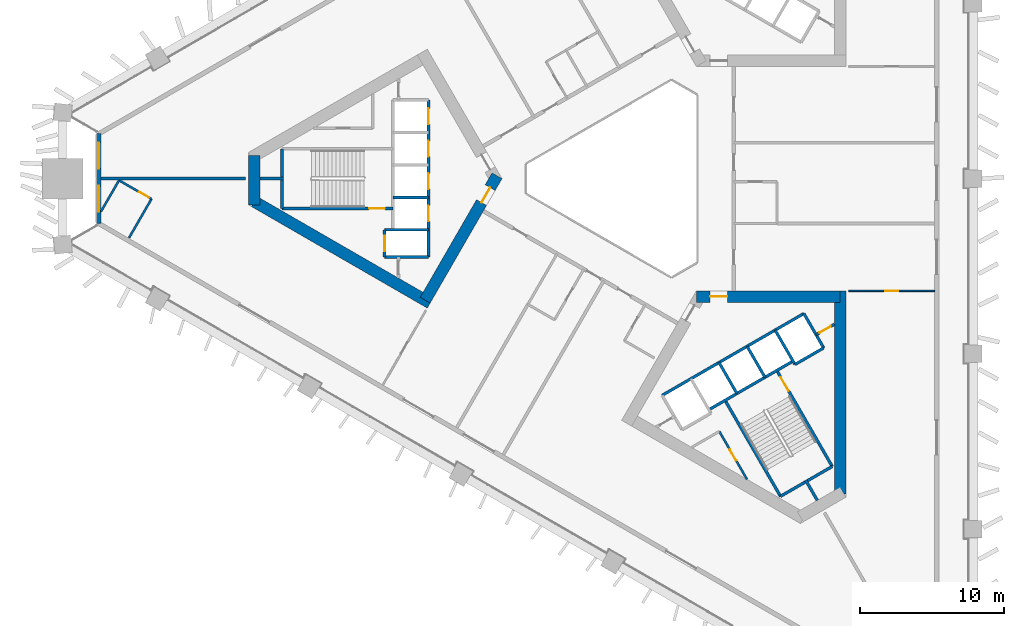
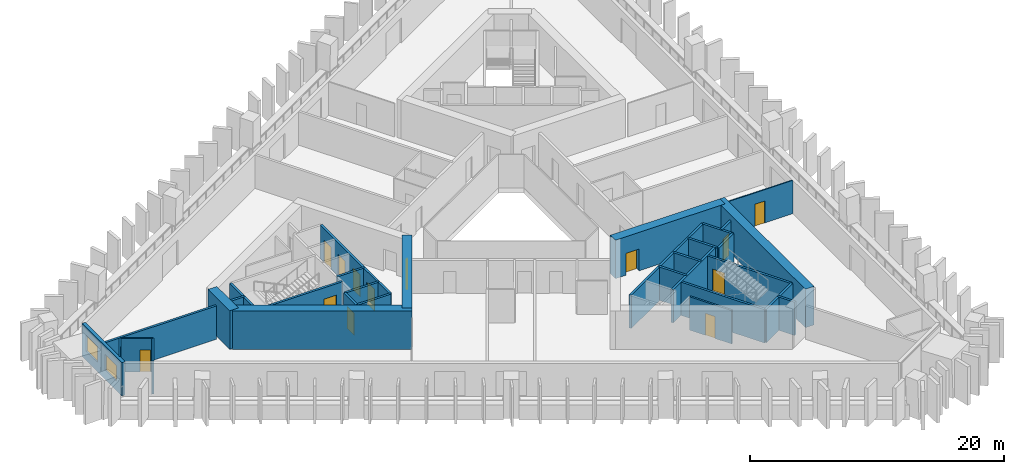
# One storey, part 3 of 10: 32 walls, 13 doors, 2 windows, 15 openings.
"""IFC4 building model written with IfcOpenShell, lengths in metres."""

from ifc_helpers import new_model, si_unit, direction, frame, frame_2d, origin, place, context, subcontext, project, spatial, rectangle, extrude, material, layer, layer_set, type_object, element, fill, save


model = new_model("IFC4")

# Units and contexts
model_context = context("Model", 3, precision=1e-05, world=origin(), true_north=direction((0.0, 1.0)))
body_context = subcontext(model_context, "Body", "Model", "MODEL_VIEW")
ifc_project = project(units=[si_unit("LENGTHUNIT", "METRE"), si_unit("AREAUNIT", "SQUARE_METRE"), si_unit("VOLUMEUNIT", "CUBIC_METRE"), si_unit("PLANEANGLEUNIT", "RADIAN"), si_unit("MASSUNIT", "GRAM", prefix="KILO")], contexts=[model_context])

# Site, building, storey
site_placement = place(None, origin())
site = spatial("IfcSite", under=ifc_project, at=site_placement, CompositionType="ELEMENT")
building_placement = place(site_placement, origin())
building = spatial("IfcBuilding", under=site, at=building_placement, Name="Jabali Bay Hotel Tower and Convention Centre", CompositionType="ELEMENT")
storey_placement = place(building_placement, frame((0.0, 0.0, 44.800048828125)))
storey = spatial("IfcBuildingStorey", under=building, at=storey_placement, Name="L09", CompositionType="ELEMENT", Elevation=44.800048828125)

# Walls
ifc_material_1 = material(Name="Concrete C40", Category="concrete")
ifc_layer_1 = layer(ifc_material_1, 0.199951171875)
ifc_layer_set_1 = layer_set([ifc_layer_1], Name="Concrete C40")
wall_type_1 = type_object("IfcWallType", Name="Core partition wall 200", PredefinedType="PARTITIONING", material=ifc_layer_set_1)
wall_1_placement = place(storey_placement, frame((50.820068359375, 80.0, 0.0), z_axis=(0.0, 0.0, 1.0), x_axis=(-1.0, 0.0, 0.0)))
element("IfcWall", 1, at=wall_1_placement, inside=storey, type_object=wall_type_1, Name="Core wall 0.5 L09", PredefinedType="PARTITIONING", context=body_context, shape_type="SweptSolid", body=[
    extrude(rectangle(XDim=1.623046875, YDim=0.199951171875, at=frame_2d((0.8115234375, 0.0))), origin(), (0.0, 0.0, 1.0), 3.199951171875),
])
wall_2_placement = place(storey_placement, frame((87.090087890625, 59.0595703125, 0.0), z_axis=(0.0, 0.0, 1.0), x_axis=(0.499956811548, -0.866050337213, 0.0)))
element("IfcWall", 2, at=wall_2_placement, inside=storey, type_object=wall_type_1, Name="Core wall 2.5 L09", PredefinedType="PARTITIONING", context=body_context, shape_type="SweptSolid", body=[
    extrude(rectangle(XDim=1.623291015625, YDim=0.199951171875, at=frame_2d((0.8115234375, 0.0))), origin(), (0.0, 0.0, 1.0), 3.199951171875),
])

# Wall, opening, door
wall_3_placement = place(storey_placement, frame((87.814697265625, 69.154296875, 0.0), z_axis=(0.0, 0.0, 1.0), x_axis=(0.866054810376, 0.49994906283, 0.0)))
wall_3 = element("IfcWall", 3, at=wall_3_placement, inside=storey, type_object=wall_type_1, Name="Core wall 2.12 L09", PredefinedType="PARTITIONING", context=body_context, shape_type="SweptSolid", body=[
    extrude(rectangle(XDim=1.461181640625, YDim=0.199951171875, at=frame_2d((0.73046875, 0.0))), origin(), (0.0, 0.0, 1.0), 3.199951171875),
])
opening_1_placement = place(wall_3_placement, frame((0.280517578125, 0.0, 0.0)))
opening_1 = element("IfcOpeningElement", 4, at=opening_1_placement, cuts=wall_3, Name="Opening D284", PredefinedType="OPENING", context=body_context, shape_type="SweptSolid", body=[
    extrude(rectangle(XDim=0.89990234375, YDim=2.10009765625, at=frame_2d((0.449951171875, 1.050048828125))), frame((0.0, 0.1103515625, 0.0), z_axis=(0.0, -1.0, 0.0), x_axis=(1.0, 0.0, 0.0)), (0.0, 0.0, 1.0), 0.220947265625),
])
ifc_material_2 = material(Name="Fire-rated steel door", Category="steel")
door_type_1 = type_object("IfcDoorType", Name="Vestibule fire door 900 x 2100", OperationType="NOTDEFINED", PredefinedType="NOTDEFINED", material=ifc_material_2)
door_1_placement = place(opening_1_placement, origin())
door_1 = element("IfcDoor", 5, at=door_1_placement, inside=storey, type_object=door_type_1, Name="Vestibule fire door D284", OperationType="SINGLE_SWING_LEFT", OverallHeight=2.10009765625, OverallWidth=0.89990234375, PredefinedType="NOTDEFINED", context=body_context, shape_type="SweptSolid", body=[
    extrude(rectangle(XDim=0.89990234375, YDim=2.10009765625, at=frame_2d((0.449951171875, 1.050048828125))), frame((0.0, 0.02490234375, 0.0), z_axis=(0.0, -1.0, 0.0), x_axis=(1.0, 0.0, 0.0)), (0.0, 0.0, 1.0), 0.050048828125),
])
fill(opening_1, door_1)

ifc_material_3 = material(Name="Fire-rated board partition")
ifc_layer_2 = layer(ifc_material_3, 0.14990234375)
ifc_layer_set_2 = layer_set([ifc_layer_2], Name="Fire-rated board partition")
wall_type_2 = type_object("IfcWallType", Name="Core room partition 150", PredefinedType="PARTITIONING", material=ifc_layer_set_2)
wall_4_placement = place(storey_placement, frame((81.093994140625, 62.445068359375, 0.0), z_axis=(0.0, 0.0, 1.0), x_axis=(0.499987921047, -0.866032377459, 0.0)))
wall_4 = element("IfcWall", 6, at=wall_4_placement, inside=storey, type_object=wall_type_2, Name="Core wall 2.1 L09", PredefinedType="PARTITIONING", context=body_context, shape_type="SweptSolid", body=[
    extrude(rectangle(XDim=3.84765625, YDim=0.14990234375, at=frame_2d((1.923828125, 0.0))), origin(), (0.0, 0.0, 1.0), 3.199951171875),
])
opening_2_placement = place(wall_4_placement, frame((1.446533203125, 0.0, 0.0)))
opening_2 = element("IfcOpeningElement", 7, at=opening_2_placement, cuts=wall_4, Name="Opening D287", PredefinedType="OPENING", context=body_context, shape_type="SweptSolid", body=[
    extrude(rectangle(XDim=0.89990234375, YDim=2.10009765625, at=frame_2d((0.449951171875, 1.050048828125))), frame((0.0, 0.08544921875, 0.0), z_axis=(0.0, -1.0, 0.0), x_axis=(1.0, 0.0, 0.0)), (0.0, 0.0, 1.0), 0.1708984375),
])
door_type_2 = type_object("IfcDoorType", Name="Core room door 900 x 2100", OperationType="NOTDEFINED", PredefinedType="NOTDEFINED", material=ifc_material_2)
door_2_placement = place(opening_2_placement, origin())
door_2 = element("IfcDoor", 8, at=door_2_placement, inside=storey, type_object=door_type_2, Name="Core room door D287", OperationType="SINGLE_SWING_LEFT", OverallHeight=2.10009765625, OverallWidth=0.89990234375, PredefinedType="NOTDEFINED", context=body_context, shape_type="SweptSolid", body=[
    extrude(rectangle(XDim=0.89990234375, YDim=2.10009765625, at=frame_2d((0.449951171875, 1.050048828125))), frame((0.0, 0.02490234375, 0.0), z_axis=(0.0, -1.0, 0.0), x_axis=(1.0, 0.0, 0.0)), (0.0, 0.0, 1.0), 0.050048828125),
])
fill(opening_2, door_2)

# Wall
ifc_layer_3 = layer(ifc_material_1, 0.199951171875)
ifc_layer_set_3 = layer_set([ifc_layer_3], Name="Concrete C40")
wall_type_3 = type_object("IfcWallType", Name="Core stair wall 200", PredefinedType="SOLIDWALL", material=ifc_layer_set_3)
wall_5_placement = place(storey_placement, frame((60.89990234375, 78.699951171875, 0.0), z_axis=(0.0, 0.0, 1.0), x_axis=(-1.0, 0.0, 0.0)))
element("IfcWall", 9, at=wall_5_placement, inside=storey, type_object=wall_type_3, Name="Core wall 0.6 L09", PredefinedType="SOLIDWALL", context=body_context, shape_type="SweptSolid", body=[
    extrude(rectangle(XDim=2.47998046875, YDim=0.199951171875, at=frame_2d((1.239990234375, 0.0))), origin(), (0.0, 0.0, 1.0), 3.199951171875),
])

# Wall, opening, door
wall_6_placement = place(storey_placement, frame((58.419921875, 77.925048828125, 0.0), z_axis=(0.0, 0.0, 1.0), x_axis=(-1.0, 0.0, 0.0)))
wall_6 = element("IfcWall", 10, at=wall_6_placement, inside=storey, type_object=wall_type_3, Name="Core wall 0.7 L09", PredefinedType="SOLIDWALL", context=body_context, shape_type="SweptSolid", body=[
    extrude(rectangle(XDim=7.699951171875, YDim=0.199951171875, at=frame_2d((3.85009765625, 0.0))), origin(), (0.0, 0.0, 1.0), 3.199951171875),
])
opening_3_placement = place(wall_6_placement, frame((0.550048828125, 0.0, 0.0)))
opening_3 = element("IfcOpeningElement", 11, at=opening_3_placement, cuts=wall_6, Name="Opening D274", PredefinedType="OPENING", context=body_context, shape_type="SweptSolid", body=[
    extrude(rectangle(XDim=1.10009765625, YDim=2.10009765625, at=frame_2d((0.550048828125, 1.050048828125))), frame((0.0, 0.1103515625, 0.0), z_axis=(0.0, -1.0, 0.0), x_axis=(1.0, 0.0, 0.0)), (0.0, 0.0, 1.0), 0.220947265625),
])
door_type_3 = type_object("IfcDoorType", Name="Stair fire door 1100 x 2100", OperationType="NOTDEFINED", PredefinedType="NOTDEFINED", material=ifc_material_2)
door_3_placement = place(opening_3_placement, origin())
door_3 = element("IfcDoor", 12, at=door_3_placement, inside=storey, type_object=door_type_3, Name="Stair fire door D274", OperationType="SINGLE_SWING_RIGHT", OverallHeight=2.10009765625, OverallWidth=1.10009765625, PredefinedType="NOTDEFINED", context=body_context, shape_type="SweptSolid", body=[
    extrude(rectangle(XDim=1.10009765625, YDim=2.10009765625, at=frame_2d((0.550048828125, 1.050048828125))), frame((0.0, 0.02490234375, 0.0), z_axis=(0.0, -1.0, 0.0), x_axis=(1.0, 0.0, 0.0)), (0.0, 0.0, 1.0), 0.050048828125),
])
fill(opening_3, door_3)

# Walls
for number, where, z_axis, x_axis, name in (
    (13, (60.89990234375, 76.449951171875, 0.0), (0.0, 0.0, 1.0), (-1.0, 0.0, 0.0), "Core wall 0.8 L09"),
    (14, (60.89990234375, 74.550048828125, 0.0), (0.0, 0.0, 1.0), (-1.0, 0.0, 0.0), "Core wall 0.9 L09"),
):
    element("IfcWall", number, at=place(storey_placement, frame(where, z_axis=z_axis, x_axis=x_axis)), inside=storey, type_object=wall_type_3, Name=name, PredefinedType="SOLIDWALL", context=body_context, shape_type="SweptSolid", body=[
        extrude(rectangle(XDim=3.0498046875, YDim=0.199951171875, at=frame_2d((1.52490234375, 0.0))), origin(), (0.0, 0.0, 1.0), 3.199951171875),
    ])

# Wall, openings, doors
wall_7_placement = place(storey_placement, frame((60.89990234375, 85.449951171875, 0.0), z_axis=(0.0, 0.0, 1.0), x_axis=(0.0, -1.0, 0.0)))
wall_7 = element("IfcWall", 15, at=wall_7_placement, inside=storey, type_object=wall_type_3, Name="Core wall 0.10 L09", PredefinedType="SOLIDWALL", context=body_context, shape_type="SweptSolid", body=[
    extrude(rectangle(XDim=10.89990234375, YDim=0.199951171875, at=frame_2d((5.449951171875, 0.0))), origin(), (0.0, 0.0, 1.0), 3.199951171875),
])
opening_4_placement = place(wall_7_placement, frame((0.574951171875, 0.0, 0.0)))
opening_4 = element("IfcOpeningElement", 16, at=opening_4_placement, cuts=wall_7, Name="Opening LD1-L09", PredefinedType="OPENING", context=body_context, shape_type="SweptSolid", body=[
    extrude(rectangle(XDim=1.10009765625, YDim=2.10009765625, at=frame_2d((0.550048828125, 1.050048828125))), frame((0.0, 0.1103515625, 0.0), z_axis=(0.0, -1.0, 0.0), x_axis=(1.0, 0.0, 0.0)), (0.0, 0.0, 1.0), 0.220947265625),
])
opening_5_placement = place(wall_7_placement, frame((2.824951171875, 0.0, 0.0)))
opening_5 = element("IfcOpeningElement", 17, at=opening_5_placement, cuts=wall_7, Name="Opening LD2-L09", PredefinedType="OPENING", context=body_context, shape_type="SweptSolid", body=[
    extrude(rectangle(XDim=1.10009765625, YDim=2.10009765625, at=frame_2d((0.550048828125, 1.050048828125))), frame((0.0, 0.1103515625, 0.0), z_axis=(0.0, -1.0, 0.0), x_axis=(1.0, 0.0, 0.0)), (0.0, 0.0, 1.0), 0.220947265625),
])
opening_6_placement = place(wall_7_placement, frame((5.074951171875, 0.0, 0.0)))
opening_6 = element("IfcOpeningElement", 18, at=opening_6_placement, cuts=wall_7, Name="Opening LD3-L09", PredefinedType="OPENING", context=body_context, shape_type="SweptSolid", body=[
    extrude(rectangle(XDim=1.10009765625, YDim=2.10009765625, at=frame_2d((0.550048828125, 1.050048828125))), frame((0.0, 0.1103515625, 0.0), z_axis=(0.0, -1.0, 0.0), x_axis=(1.0, 0.0, 0.0)), (0.0, 0.0, 1.0), 0.220947265625),
])
opening_7_placement = place(wall_7_placement, frame((7.324951171875, 0.0, 0.0)))
opening_7 = element("IfcOpeningElement", 19, at=opening_7_placement, cuts=wall_7, Name="Opening LD4-L09", PredefinedType="OPENING", context=body_context, shape_type="SweptSolid", body=[
    extrude(rectangle(XDim=1.10009765625, YDim=2.10009765625, at=frame_2d((0.550048828125, 1.050048828125))), frame((0.0, 0.1103515625, 0.0), z_axis=(0.0, -1.0, 0.0), x_axis=(1.0, 0.0, 0.0)), (0.0, 0.0, 1.0), 0.220947265625),
])
ifc_material_4 = material(Name="Stainless steel landing door", Category="steel")
door_type_4 = type_object("IfcDoorType", Name="Landing door 1100 x 2100", OperationType="NOTDEFINED", PredefinedType="NOTDEFINED", material=ifc_material_4)
door_4_placement = place(opening_4_placement, origin())
door_4 = element("IfcDoor", 20, at=door_4_placement, inside=storey, type_object=door_type_4, Name="Landing doors LD1-L09", OperationType="SLIDING_TO_RIGHT", OverallHeight=2.10009765625, OverallWidth=1.10009765625, PredefinedType="NOTDEFINED", context=body_context, shape_type="SweptSolid", body=[
    extrude(rectangle(XDim=1.10009765625, YDim=2.10009765625, at=frame_2d((0.550048828125, 1.050048828125))), frame((0.0, 0.02490234375, 0.0), z_axis=(0.0, -1.0, 0.0), x_axis=(1.0, 0.0, 0.0)), (0.0, 0.0, 1.0), 0.050048828125),
])
fill(opening_4, door_4)
door_5_placement = place(opening_5_placement, origin())
door_5 = element("IfcDoor", 21, at=door_5_placement, inside=storey, type_object=door_type_4, Name="Landing doors LD2-L09", OperationType="SLIDING_TO_LEFT", OverallHeight=2.10009765625, OverallWidth=1.10009765625, PredefinedType="NOTDEFINED", context=body_context, shape_type="SweptSolid", body=[
    extrude(rectangle(XDim=1.10009765625, YDim=2.10009765625, at=frame_2d((0.550048828125, 1.050048828125))), frame((0.0, 0.02490234375, 0.0), z_axis=(0.0, -1.0, 0.0), x_axis=(1.0, 0.0, 0.0)), (0.0, 0.0, 1.0), 0.050048828125),
])
fill(opening_5, door_5)
door_6_placement = place(opening_6_placement, origin())
door_6 = element("IfcDoor", 22, at=door_6_placement, inside=storey, type_object=door_type_4, Name="Landing doors LD3-L09", OperationType="SLIDING_TO_RIGHT", OverallHeight=2.10009765625, OverallWidth=1.10009765625, PredefinedType="NOTDEFINED", context=body_context, shape_type="SweptSolid", body=[
    extrude(rectangle(XDim=1.10009765625, YDim=2.10009765625, at=frame_2d((0.550048828125, 1.050048828125))), frame((0.0, 0.02490234375, 0.0), z_axis=(0.0, -1.0, 0.0), x_axis=(1.0, 0.0, 0.0)), (0.0, 0.0, 1.0), 0.050048828125),
])
fill(opening_6, door_6)
door_7_placement = place(opening_7_placement, origin())
door_7 = element("IfcDoor", 23, at=door_7_placement, inside=storey, type_object=door_type_4, Name="Landing doors LD4-L09", OperationType="SLIDING_TO_LEFT", OverallHeight=2.10009765625, OverallWidth=1.10009765625, PredefinedType="NOTDEFINED", context=body_context, shape_type="SweptSolid", body=[
    extrude(rectangle(XDim=1.10009765625, YDim=2.10009765625, at=frame_2d((0.550048828125, 1.050048828125))), frame((0.0, 0.02490234375, 0.0), z_axis=(0.0, -1.0, 0.0), x_axis=(1.0, 0.0, 0.0)), (0.0, 0.0, 1.0), 0.050048828125),
])
fill(opening_7, door_7)

# Wall, opening, door
wall_8_placement = place(storey_placement, frame((57.85009765625, 76.449951171875, 0.0), z_axis=(0.0, 0.0, 1.0), x_axis=(0.0, -1.0, 0.0)))
wall_8 = element("IfcWall", 24, at=wall_8_placement, inside=storey, type_object=wall_type_3, Name="Core wall 0.14 L09", PredefinedType="SOLIDWALL", context=body_context, shape_type="SweptSolid", body=[
    extrude(rectangle(XDim=1.89990234375, YDim=0.199951171875, at=frame_2d((0.949951171875, 0.0))), origin(), (0.0, 0.0, 1.0), 3.199951171875),
])
opening_8_placement = place(wall_8_placement, frame((0.39990234375, 0.0, 0.0)))
opening_8 = element("IfcOpeningElement", 25, at=opening_8_placement, cuts=wall_8, Name="Opening LD5-L09", PredefinedType="OPENING", context=body_context, shape_type="SweptSolid", body=[
    extrude(rectangle(XDim=1.10009765625, YDim=2.10009765625, at=frame_2d((0.550048828125, 1.050048828125))), frame((0.0, 0.1103515625, 0.0), z_axis=(0.0, -1.0, 0.0), x_axis=(1.0, 0.0, 0.0)), (0.0, 0.0, 1.0), 0.220947265625),
])
door_8_placement = place(opening_8_placement, origin())
door_8 = element("IfcDoor", 26, at=door_8_placement, inside=storey, type_object=door_type_4, Name="Landing doors LD5-L09", OperationType="SLIDING_TO_RIGHT", OverallHeight=2.10009765625, OverallWidth=1.10009765625, PredefinedType="NOTDEFINED", context=body_context, shape_type="SweptSolid", body=[
    extrude(rectangle(XDim=1.10009765625, YDim=2.10009765625, at=frame_2d((0.550048828125, 1.050048828125))), frame((0.0, 0.02490234375, 0.0), z_axis=(0.0, -1.0, 0.0), x_axis=(1.0, 0.0, 0.0)), (0.0, 0.0, 1.0), 0.050048828125),
])
fill(opening_8, door_8)

# Walls
wall_9_placement = place(storey_placement, frame((50.719970703125, 82.074951171875, 0.0), z_axis=(0.0, 0.0, 1.0), x_axis=(0.0, -1.0, 0.0)))
element("IfcWall", 27, at=wall_9_placement, inside=storey, type_object=wall_type_3, Name="Core wall 0.16 L09", PredefinedType="SOLIDWALL", context=body_context, shape_type="SweptSolid", body=[
    extrude(rectangle(XDim=4.14990234375, YDim=0.199951171875, at=frame_2d((2.074951171875, 0.0))), origin(), (0.0, 0.0, 1.0), 3.199951171875),
])
wall_10_placement = place(storey_placement, frame((81.492919921875, 64.603759765625, 0.0), z_axis=(0.0, 0.0, 1.0), x_axis=(0.500006057782, -0.866021906294, 0.0)))
element("IfcWall", 28, at=wall_10_placement, inside=storey, type_object=wall_type_3, Name="Core wall 2.3 L09", PredefinedType="SOLIDWALL", context=body_context, shape_type="SweptSolid", body=[
    extrude(rectangle(XDim=7.7001953125, YDim=0.199951171875, at=frame_2d((3.85009765625, 0.0))), origin(), (0.0, 0.0, 1.0), 3.199951171875),
])
for number, where, z_axis, x_axis, name in (
    (29, (81.07568359375, 67.2265625, 0.0), (0.0, 0.0, 1.0), (0.50000366821, -0.866023285932, 0.0), "Core wall 2.4 L09"),
    (30, (83.024169921875, 68.3515625, 0.0), (0.0, 0.0, 1.0), (0.50000366821, -0.866023285932, 0.0), "Core wall 2.6 L09"),
):
    element("IfcWall", number, at=place(storey_placement, frame(where, z_axis=z_axis, x_axis=x_axis)), inside=storey, type_object=wall_type_3, Name=name, PredefinedType="SOLIDWALL", context=body_context, shape_type="SweptSolid", body=[
        extrude(rectangle(XDim=2.47998046875, YDim=0.199951171875, at=frame_2d((1.239990234375, 0.0))), origin(), (0.0, 0.0, 1.0), 3.199951171875),
    ])

# Wall, opening, door
wall_11_placement = place(storey_placement, frame((85.0869140625, 66.6787109375, 0.0), z_axis=(0.0, 0.0, 1.0), x_axis=(0.500019787375, -0.866013979237, 0.0)))
wall_11 = element("IfcWall", 31, at=wall_11_placement, inside=storey, type_object=wall_type_3, Name="Core wall 2.7 L09", PredefinedType="SOLIDWALL", context=body_context, shape_type="SweptSolid", body=[
    extrude(rectangle(XDim=7.699951171875, YDim=0.199951171875, at=frame_2d((3.85009765625, 0.0))), origin(), (0.0, 0.0, 1.0), 3.199951171875),
])
opening_9_placement = place(wall_11_placement, frame((0.550048828125, 0.0, 0.0)))
opening_9 = element("IfcOpeningElement", 32, at=opening_9_placement, cuts=wall_11, Name="Opening D286", PredefinedType="OPENING", context=body_context, shape_type="SweptSolid", body=[
    extrude(rectangle(XDim=1.10009765625, YDim=2.10009765625, at=frame_2d((0.550048828125, 1.050048828125))), frame((0.0, 0.1103515625, 0.0), z_axis=(0.0, -1.0, 0.0), x_axis=(1.0, 0.0, 0.0)), (0.0, 0.0, 1.0), 0.220947265625),
])
door_9_placement = place(opening_9_placement, origin())
door_9 = element("IfcDoor", 33, at=door_9_placement, inside=storey, type_object=door_type_3, Name="Stair fire door D286", OperationType="SINGLE_SWING_RIGHT", OverallHeight=2.10009765625, OverallWidth=1.10009765625, PredefinedType="NOTDEFINED", context=body_context, shape_type="SweptSolid", body=[
    extrude(rectangle(XDim=1.10009765625, YDim=2.10009765625, at=frame_2d((0.550048828125, 1.050048828125))), frame((0.0, 0.02490234375, 0.0), z_axis=(0.0, -1.0, 0.0), x_axis=(1.0, 0.0, 0.0)), (0.0, 0.0, 1.0), 0.050048828125),
])
fill(opening_9, door_9)

# Walls
for number, where, z_axis, x_axis, name in (
    (34, (84.972900390625, 69.4765625, 0.0), (0.0, 0.0, 1.0), (0.499996545922, -0.866027397988, 0.0), "Core wall 2.8 L09"),
    (35, (86.964599609375, 70.62646484375, 0.0), (0.0, 0.0, 1.0), (0.499996545922, -0.866027397988, 0.0), "Core wall 2.9 L09"),
):
    element("IfcWall", number, at=place(storey_placement, frame(where, z_axis=z_axis, x_axis=x_axis)), inside=storey, type_object=wall_type_3, Name=name, PredefinedType="SOLIDWALL", context=body_context, shape_type="SweptSolid", body=[
        extrude(rectangle(XDim=2.75, YDim=0.199951171875, at=frame_2d((1.375, 0.0))), origin(), (0.0, 0.0, 1.0), 3.199951171875),
    ])
wall_12_placement = place(storey_placement, frame((77.13525390625, 64.95166015625, 0.0), z_axis=(0.0, 0.0, 1.0), x_axis=(0.866031916153, 0.499988720078, 0.0)))
element("IfcWall", 36, at=wall_12_placement, inside=storey, type_object=wall_type_3, Name="Core wall 2.10 L09", PredefinedType="SOLIDWALL", context=body_context, shape_type="SweptSolid", body=[
    extrude(rectangle(XDim=11.349853515625, YDim=0.199951171875, at=frame_2d((5.6748046875, 0.0))), origin(), (0.0, 0.0, 1.0), 3.199951171875),
])
wall_13_placement = place(storey_placement, frame((80.3671875, 63.953857421875, 0.0), z_axis=(0.0, 0.0, 1.0), x_axis=(0.866026575979, 0.499997969693, 0.0)))
element("IfcWall", 37, at=wall_13_placement, inside=storey, type_object=wall_type_3, Name="Core wall 2.13 L09", PredefinedType="SOLIDWALL", context=body_context, shape_type="SweptSolid", body=[
    extrude(rectangle(XDim=6.75, YDim=0.199951171875, at=frame_2d((3.375, 0.0))), origin(), (0.0, 0.0, 1.0), 3.199951171875),
])
wall_14_placement = place(storey_placement, frame((86.347900390625, 67.094970703125, 0.0), z_axis=(0.0, 0.0, 1.0), x_axis=(0.86602648383, 0.499998129301, 0.0)))
element("IfcWall", 38, at=wall_14_placement, inside=storey, type_object=wall_type_3, Name="Core wall 2.15 L09", PredefinedType="SOLIDWALL", context=body_context, shape_type="SweptSolid", body=[
    extrude(rectangle(XDim=2.2998046875, YDim=0.199951171875, at=frame_2d((1.14990234375, 0.0))), origin(), (0.0, 0.0, 1.0), 3.199951171875),
])
wall_15_placement = place(storey_placement, frame((85.343017578125, 57.935302734375, 0.0), z_axis=(0.0, 0.0, 1.0), x_axis=(0.866004344652, 0.500036473714, 0.0)))
element("IfcWall", 39, at=wall_15_placement, inside=storey, type_object=wall_type_3, Name="Core wall 2.17 L09", PredefinedType="SOLIDWALL", context=body_context, shape_type="SweptSolid", body=[
    extrude(rectangle(XDim=4.150146484375, YDim=0.199951171875, at=frame_2d((2.0751953125, 0.0))), origin(), (0.0, 0.0, 1.0), 3.199951171875),
])
ifc_material_5 = material(Name="Concrete C60", Category="concrete")
ifc_layer_4 = layer(ifc_material_5, 0.800048828125)
ifc_layer_set_4 = layer_set([ifc_layer_4], Name="Concrete C60")
wall_type_4 = type_object("IfcWallType", Name="Core wall 800", PredefinedType="SHEAR", material=ifc_layer_set_4)
wall_16_placement = place(storey_placement, frame((48.796875, 81.591796875, 0.0), z_axis=(0.0, 0.0, 1.0), x_axis=(0.0, -1.0, 0.0)))
element("IfcWall", 40, at=wall_16_placement, inside=storey, type_object=wall_type_4, Name="Core wall 1.3 L09", PredefinedType="SHEAR", context=body_context, shape_type="SweptSolid", body=[
    extrude(rectangle(XDim=3.41455078125, YDim=0.800048828125, at=frame_2d((1.707275390625, 0.0))), origin(), (0.0, 0.0, 1.0), 3.699951171875),
])
wall_17_placement = place(storey_placement, frame((48.796875, 78.408203125, 0.0), z_axis=(0.0, 0.0, 1.0), x_axis=(0.866032504327, -0.499987701298, 0.0)))
element("IfcWall", 41, at=wall_17_placement, inside=storey, type_object=wall_type_4, Name="Core wall 1.4 L09", PredefinedType="SHEAR", context=body_context, shape_type="SweptSolid", body=[
    extrude(rectangle(XDim=14.102294921875, YDim=0.800048828125, at=frame_2d((7.05126953125, 0.0))), origin(), (0.0, 0.0, 1.0), 3.699951171875),
])

# Wall, opening, door
wall_18_placement = place(storey_placement, frame((60.66357421875, 71.55712890625, 0.0), z_axis=(0.0, 0.0, 1.0), x_axis=(0.50000409368, 0.866023040284, 0.0)))
wall_18 = element("IfcWall", 42, at=wall_18_placement, inside=storey, type_object=wall_type_4, Name="Core wall 1.5 L09", PredefinedType="SHEAR", context=body_context, shape_type="SweptSolid", body=[
    extrude(rectangle(XDim=9.97998046875, YDim=0.800048828125, at=frame_2d((4.989990234375, 0.0))), origin(), (0.0, 0.0, 1.0), 3.699951171875),
])
opening_10_placement = place(wall_18_placement, frame((7.830078125, 0.0, 0.0)))
opening_10 = element("IfcOpeningElement", 43, at=opening_10_placement, cuts=wall_18, Name="Opening D271", PredefinedType="OPENING", context=body_context, shape_type="SweptSolid", body=[
    extrude(rectangle(XDim=1.199951171875, YDim=2.10009765625, at=frame_2d((0.60009765625, 1.050048828125))), frame((0.0, 0.41064453125, 0.0), z_axis=(0.0, -1.0, 0.0), x_axis=(1.0, 0.0, 0.0)), (0.0, 0.0, 1.0), 0.821044921875),
])
door_type_5 = type_object("IfcDoorType", Name="Corridor end fire door 1200 x 2100", OperationType="NOTDEFINED", PredefinedType="NOTDEFINED", material=ifc_material_2)
door_10_placement = place(opening_10_placement, origin())
door_10 = element("IfcDoor", 44, at=door_10_placement, inside=storey, type_object=door_type_5, Name="Corridor end fire door D271", OperationType="SINGLE_SWING_LEFT", OverallHeight=2.10009765625, OverallWidth=1.199951171875, PredefinedType="NOTDEFINED", context=body_context, shape_type="SweptSolid", body=[
    extrude(rectangle(XDim=1.199951171875, YDim=2.10009765625, at=frame_2d((0.60009765625, 1.050048828125))), frame((0.0, 0.02490234375, 0.0), z_axis=(0.0, -1.0, 0.0), x_axis=(1.0, 0.0, 0.0)), (0.0, 0.0, 1.0), 0.050048828125),
])
fill(opening_10, door_10)

# Wall
wall_19_placement = place(storey_placement, frame((89.47998046875, 58.103271484375, 0.0), z_axis=(0.0, 0.0, 1.0), x_axis=(0.0, 1.0, 0.0)))
element("IfcWall", 45, at=wall_19_placement, inside=storey, type_object=wall_type_4, Name="Core wall 3.4 L09", PredefinedType="SHEAR", context=body_context, shape_type="SweptSolid", body=[
    extrude(rectangle(XDim=14.1025390625, YDim=0.800048828125, at=frame_2d((7.05126953125, 0.0))), origin(), (0.0, 0.0, 1.0), 3.699951171875),
])

# Wall, opening, door
wall_20_placement = place(storey_placement, frame((89.47998046875, 71.8056640625, 0.0), z_axis=(0.0, 0.0, 1.0), x_axis=(-1.0, 0.0, 0.0)))
wall_20 = element("IfcWall", 46, at=wall_20_placement, inside=storey, type_object=wall_type_4, Name="Core wall 3.5 L09", PredefinedType="SHEAR", context=body_context, shape_type="SweptSolid", body=[
    extrude(rectangle(XDim=9.97998046875, YDim=0.800048828125, at=frame_2d((4.989990234375, 0.0))), origin(), (0.0, 0.0, 1.0), 3.699951171875),
])
opening_11_placement = place(wall_20_placement, frame((7.830078125, 0.0, 0.0)))
opening_11 = element("IfcOpeningElement", 47, at=opening_11_placement, cuts=wall_20, Name="Opening D283", PredefinedType="OPENING", context=body_context, shape_type="SweptSolid", body=[
    extrude(rectangle(XDim=1.199951171875, YDim=2.10009765625, at=frame_2d((0.60009765625, 1.050048828125))), frame((0.0, 0.41064453125, 0.0), z_axis=(0.0, -1.0, 0.0), x_axis=(1.0, 0.0, 0.0)), (0.0, 0.0, 1.0), 0.821044921875),
])
door_11_placement = place(opening_11_placement, origin())
door_11 = element("IfcDoor", 48, at=door_11_placement, inside=storey, type_object=door_type_5, Name="Corridor end fire door D283", OperationType="SINGLE_SWING_LEFT", OverallHeight=2.10009765625, OverallWidth=1.199951171875, PredefinedType="NOTDEFINED", context=body_context, shape_type="SweptSolid", body=[
    extrude(rectangle(XDim=1.199951171875, YDim=2.10009765625, at=frame_2d((0.60009765625, 1.050048828125))), frame((0.0, 0.02490234375, 0.0), z_axis=(0.0, -1.0, 0.0), x_axis=(1.0, 0.0, 0.0)), (0.0, 0.0, 1.0), 0.050048828125),
])
fill(opening_11, door_11)

# Wall, openings, windows
ifc_layer_5 = layer(ifc_material_1, 0.300048828125)
ifc_layer_set_5 = layer_set([ifc_layer_5], Name="Concrete C40")
wall_type_5 = type_object("IfcWallType", Name="External wall 300", PredefinedType="SOLIDWALL", material=ifc_layer_set_5)
wall_21_placement = place(storey_placement, frame((38.00048828125, 76.880615234375, 0.0), z_axis=(0.0, 0.0, 1.0), x_axis=(0.0, 1.0, 0.0)))
wall_21 = element("IfcWall", 49, at=wall_21_placement, inside=storey, type_object=wall_type_5, Name="External wall west chamfer L09", PredefinedType="SOLIDWALL", context=body_context, shape_type="SweptSolid", body=[
    extrude(rectangle(XDim=6.23876953125, YDim=0.300048828125, at=frame_2d((3.119384765625, 0.0))), origin(), (0.0, 0.0, 1.0), 3.199951171875),
])
opening_12_placement = place(wall_21_placement, frame((3.82177734375, 0.0, 0.89990234375)))
opening_12 = element("IfcOpeningElement", 50, at=opening_12_placement, cuts=wall_21, Name="Opening W1", PredefinedType="OPENING", context=body_context, shape_type="SweptSolid", body=[
    extrude(rectangle(XDim=1.800048828125, YDim=1.5, at=frame_2d((0.89990234375, 0.75))), frame((0.0, 0.16064453125, 0.0), z_axis=(0.0, -1.0, 0.0), x_axis=(1.0, 0.0, 0.0)), (0.0, 0.0, 1.0), 0.321044921875),
])
opening_13_placement = place(wall_21_placement, frame((0.818603515625, 0.0, 0.89990234375)))
opening_13 = element("IfcOpeningElement", 51, at=opening_13_placement, cuts=wall_21, Name="Opening W1", PredefinedType="OPENING", context=body_context, shape_type="SweptSolid", body=[
    extrude(rectangle(XDim=1.800048828125, YDim=1.5, at=frame_2d((0.89990234375, 0.75))), frame((0.0, 0.16064453125, 0.0), z_axis=(0.0, -1.0, 0.0), x_axis=(1.0, 0.0, 0.0)), (0.0, 0.0, 1.0), 0.321044921875),
])
ifc_material_6 = material(Name="Glass", Category="glass")
window_type = type_object("IfcWindowType", Name="Window 1800 x 1500", PartitioningType="SINGLE_PANEL", PredefinedType="WINDOW", material=ifc_material_6)
window_1_placement = place(opening_12_placement, origin())
window_1 = element("IfcWindow", 52, at=window_1_placement, inside=storey, type_object=window_type, Name="Window 906", OverallHeight=1.5, OverallWidth=1.800048828125, PartitioningType="SINGLE_PANEL", PredefinedType="WINDOW", context=body_context, shape_type="SweptSolid", body=[
    extrude(rectangle(XDim=1.800048828125, YDim=1.5, at=frame_2d((0.89990234375, 0.75))), frame((0.0, 0.030029296875, 0.0), z_axis=(0.0, -1.0, 0.0), x_axis=(1.0, 0.0, 0.0)), (0.0, 0.0, 1.0), 0.06005859375),
])
fill(opening_12, window_1)
window_2_placement = place(opening_13_placement, origin())
window_2 = element("IfcWindow", 53, at=window_2_placement, inside=storey, type_object=window_type, Name="Window 907", OverallHeight=1.5, OverallWidth=1.800048828125, PartitioningType="SINGLE_PANEL", PredefinedType="WINDOW", context=body_context, shape_type="SweptSolid", body=[
    extrude(rectangle(XDim=1.800048828125, YDim=1.5, at=frame_2d((0.89990234375, 0.75))), frame((0.0, 0.030029296875, 0.0), z_axis=(0.0, -1.0, 0.0), x_axis=(1.0, 0.0, 0.0)), (0.0, 0.0, 1.0), 0.06005859375),
])
fill(opening_13, window_2)

# Wall, opening, door
ifc_material_7 = material(Name="Plasterboard on steel stud", Category="steel")
ifc_layer_6 = layer(ifc_material_7, 0.10009765625)
ifc_layer_set_6 = layer_set([ifc_layer_6], Name="Plasterboard on steel stud")
wall_type_6 = type_object("IfcWallType", Name="Partition 100 unit", PredefinedType="PARTITIONING", material=ifc_layer_set_6)
wall_22_placement = place(storey_placement, frame((90.0791015625, 72.205810546875, 0.0), z_axis=(0.0, 0.0, 1.0), x_axis=(1.0, 0.0, 0.0)))
wall_22 = element("IfcWall", 54, at=wall_22_placement, inside=storey, type_object=wall_type_6, Name="Partition P02 L09 001", PredefinedType="PARTITIONING", context=body_context, shape_type="SweptSolid", body=[
    extrude(rectangle(XDim=5.97314453125, YDim=0.10009765625, at=frame_2d((2.986572265625, 0.0))), origin(), (0.0, 0.0, 1.0), 3.199951171875),
])
opening_14_placement = place(wall_22_placement, frame((2.537109375, 0.0, 0.0)))
opening_14 = element("IfcOpeningElement", 55, at=opening_14_placement, cuts=wall_22, Name="Opening 0902", PredefinedType="OPENING", context=body_context, shape_type="SweptSolid", body=[
    extrude(rectangle(XDim=0.89990234375, YDim=2.10009765625, at=frame_2d((0.449951171875, 1.050048828125))), frame((0.0, 0.060546875, 0.0), z_axis=(0.0, -1.0, 0.0), x_axis=(1.0, 0.0, 0.0)), (0.0, 0.0, 1.0), 0.12109375),
])
ifc_material_8 = material(Name="Timber", Category="wood")
door_type_6 = type_object("IfcDoorType", Name="Internal door 900 x 2100", OperationType="NOTDEFINED", PredefinedType="NOTDEFINED", material=ifc_material_8)
door_12_placement = place(opening_14_placement, origin())
door_12 = element("IfcDoor", 56, at=door_12_placement, inside=storey, type_object=door_type_6, Name="Door 0902", OperationType="SINGLE_SWING_RIGHT", OverallHeight=2.10009765625, OverallWidth=0.89990234375, PredefinedType="NOTDEFINED", context=body_context, shape_type="SweptSolid", body=[
    extrude(rectangle(XDim=0.89990234375, YDim=2.10009765625, at=frame_2d((0.449951171875, 1.050048828125))), frame((0.0, 0.02490234375, 0.0), z_axis=(0.0, -1.0, 0.0), x_axis=(1.0, 0.0, 0.0)), (0.0, 0.0, 1.0), 0.050048828125),
])
fill(opening_14, door_12)

# Wall
ifc_layer_7 = layer(ifc_material_7, 0.14990234375)
ifc_layer_set_7 = layer_set([ifc_layer_7], Name="Plasterboard on steel stud")
wall_type_7 = type_object("IfcWallType", Name="Partition 150 wet", PredefinedType="PARTITIONING", material=ifc_layer_set_7)
wall_23_placement = place(storey_placement, frame((38.1494140625, 77.7177734375, 0.0), z_axis=(0.0, 0.0, 1.0), x_axis=(0.50003518532, 0.866005088577, 0.0)))
element("IfcWall", 57, at=wall_23_placement, inside=storey, type_object=wall_type_7, Name="Partition P03 L09 030", PredefinedType="PARTITIONING", context=body_context, shape_type="SweptSolid", body=[
    extrude(rectangle(XDim=2.500244140625, YDim=0.14990234375, at=frame_2d((1.25, 0.0))), origin(), (0.0, 0.0, 1.0), 3.199951171875),
])

# Wall, opening, door
wall_24_placement = place(storey_placement, frame((39.399658203125, 79.883056640625, 0.0), z_axis=(0.0, 0.0, 1.0), x_axis=(0.865997922154, -0.500047596559, 0.0)))
wall_24 = element("IfcWall", 58, at=wall_24_placement, inside=storey, type_object=wall_type_7, Name="Partition P03 L09 031", PredefinedType="PARTITIONING", context=body_context, shape_type="SweptSolid", body=[
    extrude(rectangle(XDim=2.599853515625, YDim=0.14990234375, at=frame_2d((1.2998046875, 0.0))), origin(), (0.0, 0.0, 1.0), 3.199951171875),
])
opening_15_placement = place(wall_24_placement, frame((1.60009765625, 0.0, 0.0)))
opening_15 = element("IfcOpeningElement", 59, at=opening_15_placement, cuts=wall_24, Name="Opening 0918", PredefinedType="OPENING", context=body_context, shape_type="SweptSolid", body=[
    extrude(rectangle(XDim=0.800048828125, YDim=2.10009765625, at=frame_2d((0.39990234375, 1.050048828125))), frame((0.0, 0.08544921875, 0.0), z_axis=(0.0, -1.0, 0.0), x_axis=(1.0, 0.0, 0.0)), (0.0, 0.0, 1.0), 0.1708984375),
])
door_type_7 = type_object("IfcDoorType", Name="En-suite door 800 x 2100", OperationType="NOTDEFINED", PredefinedType="NOTDEFINED", material=ifc_material_8)
door_13_placement = place(opening_15_placement, origin())
door_13 = element("IfcDoor", 60, at=door_13_placement, inside=storey, type_object=door_type_7, Name="Door 0918", OperationType="SINGLE_SWING_RIGHT", OverallHeight=2.10009765625, OverallWidth=0.800048828125, PredefinedType="NOTDEFINED", context=body_context, shape_type="SweptSolid", body=[
    extrude(rectangle(XDim=0.800048828125, YDim=2.10009765625, at=frame_2d((0.39990234375, 1.050048828125))), frame((0.0, 0.02490234375, 0.0), z_axis=(0.0, -1.0, 0.0), x_axis=(1.0, 0.0, 0.0)), (0.0, 0.0, 1.0), 0.050048828125),
])
fill(opening_15, door_13)

# Walls
wall_25_placement = place(storey_placement, frame((41.651123046875, 78.5830078125, 0.0), z_axis=(0.0, 0.0, 1.0), x_axis=(-0.49995578886, -0.866050927593, 0.0)))
element("IfcWall", 61, at=wall_25_placement, inside=storey, type_object=wall_type_7, Name="Partition P03 L09 032", PredefinedType="PARTITIONING", context=body_context, shape_type="SweptSolid", body=[
    extrude(rectangle(XDim=3.109619140625, YDim=0.14990234375, at=frame_2d((1.5546875, 0.0))), origin(), (0.0, 0.0, 1.0), 3.199951171875),
])
ifc_layer_8 = layer(ifc_material_7, 0.199951171875)
ifc_layer_set_8 = layer_set([ifc_layer_8], Name="Plasterboard on steel stud")
wall_type_8 = type_object("IfcWallType", Name="Partition 200 party", PredefinedType="PARTITIONING", material=ifc_layer_set_8)
wall_26_placement = place(storey_placement, frame((38.1494140625, 80.0, 0.0), z_axis=(0.0, 0.0, 1.0), x_axis=(1.0, 0.0, 0.0)))
element("IfcWall", 62, at=wall_26_placement, inside=storey, type_object=wall_type_8, Name="Partition P01 L09 026", PredefinedType="PARTITIONING", context=body_context, shape_type="SweptSolid", body=[
    extrude(rectangle(XDim=10.048583984375, YDim=0.199951171875, at=frame_2d((5.0244140625, 0.0))), origin(), (0.0, 0.0, 1.0), 3.199951171875),
])

save(model, "model.ifc")
